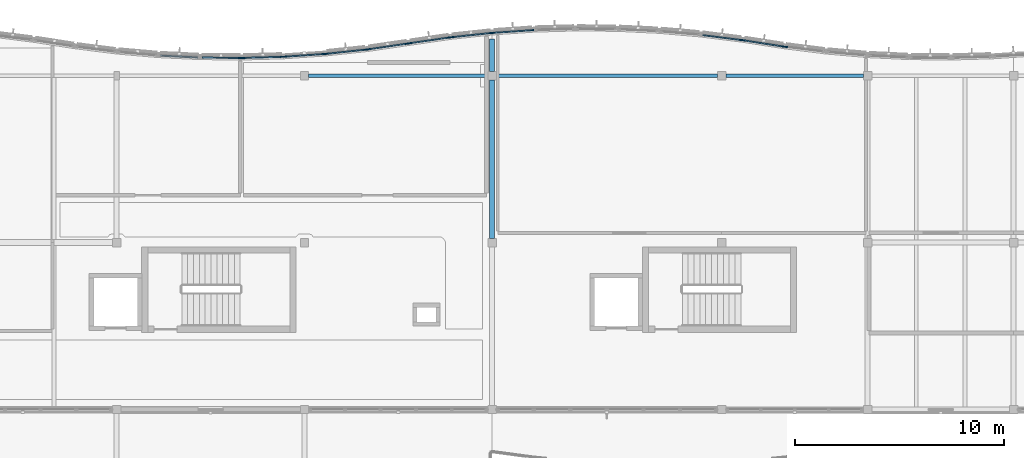
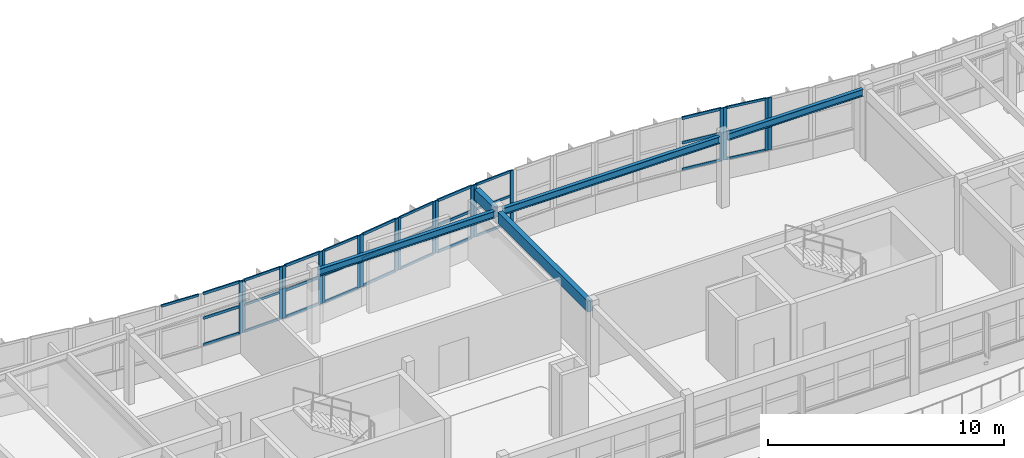
# One storey, part 16 of 52: 50 members, 5 beams, 12 elements without a shape of their own.
"""IFC4 building model written with IfcOpenShell, lengths in metres."""

from ifc_helpers import new_model, si_unit, direction, frame, origin, origin_2d, place, context, subcontext, project, spatial, rectangle, i_section, extrude, material, layer, layer_set, material_profile, profile_set, type_object, element, aggregate, save


model = new_model("IFC4")

# Units and contexts
model_context = context("Model", 3, precision=1e-05, world=origin(), true_north=direction((0.0, 1.0)))
body_context = subcontext(model_context, "Body", "Model", "MODEL_VIEW")
ifc_project = project(units=[si_unit("LENGTHUNIT", "METRE"), si_unit("AREAUNIT", "SQUARE_METRE"), si_unit("VOLUMEUNIT", "CUBIC_METRE"), si_unit("PLANEANGLEUNIT", "RADIAN"), si_unit("MASSUNIT", "GRAM", prefix="KILO")], contexts=[model_context])

# Site, building, storey
site_placement = place(None, origin())
site = spatial("IfcSite", under=ifc_project, at=site_placement, CompositionType="ELEMENT")
building_placement = place(site_placement, origin())
building = spatial("IfcBuilding", under=site, at=building_placement, Name="Tonlespit Floodbar School", CompositionType="ELEMENT")
storey_placement = place(building_placement, frame((0.0, 0.0, 12.300048828125)))
storey = spatial("IfcBuildingStorey", under=building, at=storey_placement, Name="L03", CompositionType="ELEMENT", Elevation=12.300048828125)

# Beams
ifc_material_1 = material(Name="Glulam GL28h", Category="wood")
ifc_material_profile_1 = material_profile(ifc_material_1, rectangle(XDim=0.239990234375, YDim=0.56005859375, at=origin_2d()), Name="GL 240x560")
ifc_profile_set_1 = profile_set([ifc_material_profile_1], Name="Glulam GL28h")
beam_type_1 = type_object("IfcBeamType", Name="Beam_GL_240x560", PredefinedType="BEAM", material=ifc_profile_set_1)
beam_1_placement = place(storey_placement, frame((116.0, 112.199951171875, 3.364990234375), z_axis=(0.0, 1.0, 0.0), x_axis=(-1.0, 0.0, 0.0)))
element("IfcBeam", 1, at=beam_1_placement, inside=storey, type_object=beam_type_1, Name="L03 girder 1233", PredefinedType="BEAM", context=body_context, shape_type="SweptSolid", body=[
    extrude(rectangle(XDim=0.239990234375, YDim=0.56005859375, at=origin_2d()), origin(), (0.0, 0.0, 1.0), 7.60009765625),
])
beam_2_placement = place(storey_placement, frame((116.0, 120.199951171875, 3.364990234375), z_axis=(0.0, 1.0, 0.0), x_axis=(-1.0, 0.0, 0.0)))
element("IfcBeam", 2, at=beam_2_placement, inside=storey, type_object=beam_type_1, Name="L03 north street wave cantilever bracket", PredefinedType="BEAM", context=body_context, shape_type="SweptSolid", body=[
    extrude(rectangle(XDim=0.239990234375, YDim=0.56005859375, at=origin_2d()), origin(), (0.0, 0.0, 1.0), 1.554443359375),
])

# Curtain wall, members
ifc_material_2 = material(Name="Anodised Aluminium", Category="aluminium")
ifc_layer_1 = layer(ifc_material_2, 0.159912109375)
ifc_layer_set_1 = layer_set([ifc_layer_1], Name="Anodised Aluminium")
curtain_wall_type_1 = type_object("IfcCurtainWallType", Name="CurtainWall_1900x2700", PredefinedType="NOTDEFINED", material=ifc_layer_set_1)
curtain_wall_1_placement = place(storey_placement, origin())
curtain_wall_1 = element("IfcCurtainWall", 3, at=curtain_wall_1_placement, inside=storey, type_object=curtain_wall_type_1, Name="L03 unitised curtain wall 0154", PredefinedType="NOTDEFINED")
ifc_material_profile_2 = material_profile(ifc_material_2, rectangle(XDim=0.06494140625, YDim=0.14990234375, at=origin_2d()), Name="ALU M65x150")
ifc_profile_set_2 = profile_set([ifc_material_profile_2], Name="Anodised Aluminium")
member_type_1 = type_object("IfcMemberType", Name="CW_Mullion_65x150", PredefinedType="MULLION", material=ifc_profile_set_2)
member_1_placement = place(storey_placement, frame((104.072509765625, 120.855224609375, 0.949951171875), z_axis=(0.0, 0.0, 1.0), x_axis=(-0.028790144226, 0.999585477883, 0.0)))
member_1 = element("IfcMember", 4, at=member_1_placement, type_object=member_type_1, Name="CW-05 mullion 1", PredefinedType="MULLION", context=body_context, shape_type="SweptSolid", body=[
    extrude(rectangle(XDim=0.06494140625, YDim=0.14990234375, at=origin_2d()), origin(), (0.0, 0.0, 1.0), 2.699951171875),
])
member_2_placement = place(storey_placement, frame((105.927490234375, 120.908447265625, 0.949951171875), z_axis=(0.0, 0.0, 1.0), x_axis=(-0.028790144226, 0.999585477883, 0.0)))
member_2 = element("IfcMember", 5, at=member_2_placement, type_object=member_type_1, Name="CW-05 mullion 2", PredefinedType="MULLION", context=body_context, shape_type="SweptSolid", body=[
    extrude(rectangle(XDim=0.06494140625, YDim=0.14990234375, at=origin_2d()), origin(), (0.0, 0.0, 1.0), 2.699951171875),
])

ifc_layer_2 = layer(ifc_material_2, 0.159912109375)
ifc_layer_set_2 = layer_set([ifc_layer_2], Name="Anodised Aluminium")
curtain_wall_type_2 = type_object("IfcCurtainWallType", Name="CurtainWall_1950x2700", PredefinedType="NOTDEFINED", material=ifc_layer_set_2)
curtain_wall_2_placement = place(storey_placement, origin())
curtain_wall_2 = element("IfcCurtainWall", 6, at=curtain_wall_2_placement, inside=storey, type_object=curtain_wall_type_2, Name="L03 unitised curtain wall 0156", PredefinedType="NOTDEFINED")
member_3_placement = place(storey_placement, frame((108.072021484375, 121.05322265625, 0.949951171875), z_axis=(0.0, 0.0, 1.0), x_axis=(-0.105787143968, 0.994388797288, 0.0)))
member_3 = element("IfcMember", 7, at=member_3_placement, type_object=member_type_1, Name="CW-04 mullion 1", PredefinedType="MULLION", context=body_context, shape_type="SweptSolid", body=[
    extrude(rectangle(XDim=0.06494140625, YDim=0.14990234375, at=origin_2d()), origin(), (0.0, 0.0, 1.0), 2.699951171875),
])
member_4_placement = place(storey_placement, frame((109.927978515625, 121.250732421875, 0.949951171875), z_axis=(0.0, 0.0, 1.0), x_axis=(-0.105787143968, 0.994388797288, 0.0)))
member_4 = element("IfcMember", 8, at=member_4_placement, type_object=member_type_1, Name="CW-04 mullion 2", PredefinedType="MULLION", context=body_context, shape_type="SweptSolid", body=[
    extrude(rectangle(XDim=0.06494140625, YDim=0.14990234375, at=origin_2d()), origin(), (0.0, 0.0, 1.0), 2.699951171875),
])

curtain_wall_3_placement = place(storey_placement, origin())
curtain_wall_3 = element("IfcCurtainWall", 9, at=curtain_wall_3_placement, inside=storey, type_object=curtain_wall_type_2, Name="L03 unitised curtain wall 0158", PredefinedType="NOTDEFINED")
member_5_placement = place(storey_placement, frame((112.07177734375, 121.560546875, 0.949951171875), z_axis=(0.0, 0.0, 1.0), x_axis=(-0.144248041079, 0.989541561858, 0.0)))
member_5 = element("IfcMember", 10, at=member_5_placement, type_object=member_type_1, Name="CW-04 mullion 1", PredefinedType="MULLION", context=body_context, shape_type="SweptSolid", body=[
    extrude(rectangle(XDim=0.06494140625, YDim=0.14990234375, at=origin_2d()), origin(), (0.0, 0.0, 1.0), 2.699951171875),
])
member_6_placement = place(storey_placement, frame((113.92822265625, 121.8310546875, 0.949951171875), z_axis=(0.0, 0.0, 1.0), x_axis=(-0.144248041079, 0.989541561858, 0.0)))
member_6 = element("IfcMember", 11, at=member_6_placement, type_object=member_type_1, Name="CW-04 mullion 2", PredefinedType="MULLION", context=body_context, shape_type="SweptSolid", body=[
    extrude(rectangle(XDim=0.06494140625, YDim=0.14990234375, at=origin_2d()), origin(), (0.0, 0.0, 1.0), 2.699951171875),
])

curtain_wall_4_placement = place(storey_placement, origin())
curtain_wall_4 = element("IfcCurtainWall", 12, at=curtain_wall_4_placement, inside=storey, type_object=curtain_wall_type_1, Name="L03 unitised curtain wall 0446", PredefinedType="NOTDEFINED")
member_7_placement = place(storey_placement, frame((116.072265625, 122.05908203125, 0.949951171875), z_axis=(0.0, 0.0, 1.0), x_axis=(-0.067339767311, 0.99773010165, 0.0)))
member_7 = element("IfcMember", 13, at=member_7_placement, type_object=member_type_1, Name="CW-05 mullion 1", PredefinedType="MULLION", context=body_context, shape_type="SweptSolid", body=[
    extrude(rectangle(XDim=0.06494140625, YDim=0.14990234375, at=origin_2d()), origin(), (0.0, 0.0, 1.0), 2.699951171875),
])
member_8_placement = place(storey_placement, frame((117.927734375, 122.184326171875, 0.949951171875), z_axis=(0.0, 0.0, 1.0), x_axis=(-0.067339767311, 0.99773010165, 0.0)))
member_8 = element("IfcMember", 14, at=member_8_placement, type_object=member_type_1, Name="CW-05 mullion 2", PredefinedType="MULLION", context=body_context, shape_type="SweptSolid", body=[
    extrude(rectangle(XDim=0.06494140625, YDim=0.14990234375, at=origin_2d()), origin(), (0.0, 0.0, 1.0), 2.699951171875),
])

curtain_wall_5_placement = place(storey_placement, origin())
curtain_wall_5 = element("IfcCurtainWall", 15, at=curtain_wall_5_placement, inside=storey, type_object=curtain_wall_type_2, Name="L03 unitised curtain wall 0452", PredefinedType="NOTDEFINED")
member_9_placement = place(storey_placement, frame((128.071533203125, 121.694580078125, 0.949951171875), z_axis=(0.0, 0.0, 1.0), x_axis=(0.153796288585, 0.988102576465, 0.0)))
member_9 = element("IfcMember", 16, at=member_9_placement, type_object=member_type_1, Name="CW-04 mullion 1", PredefinedType="MULLION", context=body_context, shape_type="SweptSolid", body=[
    extrude(rectangle(XDim=0.06494140625, YDim=0.14990234375, at=origin_2d()), origin(), (0.0, 0.0, 1.0), 2.699951171875),
])
member_10_placement = place(storey_placement, frame((129.928466796875, 121.405517578125, 0.949951171875), z_axis=(0.0, 0.0, 1.0), x_axis=(0.153796288585, 0.988102576465, 0.0)))
member_10 = element("IfcMember", 17, at=member_10_placement, type_object=member_type_1, Name="CW-04 mullion 2", PredefinedType="MULLION", context=body_context, shape_type="SweptSolid", body=[
    extrude(rectangle(XDim=0.06494140625, YDim=0.14990234375, at=origin_2d()), origin(), (0.0, 0.0, 1.0), 2.699951171875),
])

# Curtain wall, member
curtain_wall_6_placement = place(storey_placement, origin())
curtain_wall_6 = element("IfcCurtainWall", 18, at=curtain_wall_6_placement, inside=storey, type_object=curtain_wall_type_1, Name="L03 unitised curtain wall 0153", PredefinedType="NOTDEFINED")
ifc_material_profile_3 = material_profile(ifc_material_2, rectangle(XDim=0.06494140625, YDim=0.179931640625, at=origin_2d()), Name="ALU M65x180")
ifc_profile_set_3 = profile_set([ifc_material_profile_3], Name="Anodised Aluminium")
member_type_2 = type_object("IfcMemberType", Name="CW_Mullion_65x180", PredefinedType="MULLION", material=ifc_profile_set_3)
member_11_placement = place(storey_placement, frame((103.927490234375, 120.853759765625, 0.949951171875), z_axis=(0.0, 0.0, 1.0), x_axis=(0.009582893292, 0.999954083024, 0.0)))
member_11 = element("IfcMember", 19, at=member_11_placement, type_object=member_type_2, Name="CW-05 mullion 2", PredefinedType="MULLION", context=body_context, shape_type="SweptSolid", body=[
    extrude(rectangle(XDim=0.06494140625, YDim=0.179931640625, at=origin_2d()), origin(), (0.0, 0.0, 1.0), 2.699951171875),
])

# Curtain wall, members
curtain_wall_7_placement = place(storey_placement, origin())
curtain_wall_7 = element("IfcCurtainWall", 20, at=curtain_wall_7_placement, inside=storey, type_object=curtain_wall_type_1, Name="L03 unitised curtain wall 0155", PredefinedType="NOTDEFINED")
member_12_placement = place(storey_placement, frame((106.072265625, 120.91552734375, 0.949951171875), z_axis=(0.0, 0.0, 1.0), x_axis=(-0.067339767311, 0.99773010165, 0.0)))
member_12 = element("IfcMember", 21, at=member_12_placement, type_object=member_type_2, Name="CW-05 mullion 1", PredefinedType="MULLION", context=body_context, shape_type="SweptSolid", body=[
    extrude(rectangle(XDim=0.06494140625, YDim=0.179931640625, at=origin_2d()), origin(), (0.0, 0.0, 1.0), 2.699951171875),
])
member_13_placement = place(storey_placement, frame((107.927734375, 121.040771484375, 0.949951171875), z_axis=(0.0, 0.0, 1.0), x_axis=(-0.067339767311, 0.99773010165, 0.0)))
member_13 = element("IfcMember", 22, at=member_13_placement, type_object=member_type_2, Name="CW-05 mullion 2", PredefinedType="MULLION", context=body_context, shape_type="SweptSolid", body=[
    extrude(rectangle(XDim=0.06494140625, YDim=0.179931640625, at=origin_2d()), origin(), (0.0, 0.0, 1.0), 2.699951171875),
])

curtain_wall_8_placement = place(storey_placement, origin())
curtain_wall_8 = element("IfcCurtainWall", 23, at=curtain_wall_8_placement, inside=storey, type_object=curtain_wall_type_2, Name="L03 unitised curtain wall 0157", PredefinedType="NOTDEFINED")
member_14_placement = place(storey_placement, frame((110.07177734375, 121.268798828125, 0.949951171875), z_axis=(0.0, 0.0, 1.0), x_axis=(-0.144248041079, 0.989541561858, 0.0)))
member_14 = element("IfcMember", 24, at=member_14_placement, type_object=member_type_2, Name="CW-04 mullion 1", PredefinedType="MULLION", context=body_context, shape_type="SweptSolid", body=[
    extrude(rectangle(XDim=0.06494140625, YDim=0.179931640625, at=origin_2d()), origin(), (0.0, 0.0, 1.0), 2.699951171875),
])
member_15_placement = place(storey_placement, frame((111.92822265625, 121.53955078125, 0.949951171875), z_axis=(0.0, 0.0, 1.0), x_axis=(-0.144248041079, 0.989541561858, 0.0)))
member_15 = element("IfcMember", 25, at=member_15_placement, type_object=member_type_2, Name="CW-04 mullion 2", PredefinedType="MULLION", context=body_context, shape_type="SweptSolid", body=[
    extrude(rectangle(XDim=0.06494140625, YDim=0.179931640625, at=origin_2d()), origin(), (0.0, 0.0, 1.0), 2.699951171875),
])

curtain_wall_9_placement = place(storey_placement, origin())
curtain_wall_9 = element("IfcCurtainWall", 26, at=curtain_wall_9_placement, inside=storey, type_object=curtain_wall_type_2, Name="L03 unitised curtain wall 0159", PredefinedType="NOTDEFINED")
member_16_placement = place(storey_placement, frame((114.072021484375, 121.84912109375, 0.949951171875), z_axis=(0.0, 0.0, 1.0), x_axis=(-0.105787143968, 0.994388797288, 0.0)))
member_16 = element("IfcMember", 27, at=member_16_placement, type_object=member_type_2, Name="CW-04 mullion 1", PredefinedType="MULLION", context=body_context, shape_type="SweptSolid", body=[
    extrude(rectangle(XDim=0.06494140625, YDim=0.179931640625, at=origin_2d()), origin(), (0.0, 0.0, 1.0), 2.699951171875),
])
member_17_placement = place(storey_placement, frame((115.927978515625, 122.046630859375, 0.949951171875), z_axis=(0.0, 0.0, 1.0), x_axis=(-0.105787143968, 0.994388797288, 0.0)))
member_17 = element("IfcMember", 28, at=member_17_placement, type_object=member_type_2, Name="CW-04 mullion 2", PredefinedType="MULLION", context=body_context, shape_type="SweptSolid", body=[
    extrude(rectangle(XDim=0.06494140625, YDim=0.179931640625, at=origin_2d()), origin(), (0.0, 0.0, 1.0), 2.699951171875),
])

# Curtain wall, member
curtain_wall_10_placement = place(storey_placement, origin())
curtain_wall_10 = element("IfcCurtainWall", 29, at=curtain_wall_10_placement, inside=storey, type_object=curtain_wall_type_2, Name="L03 unitised curtain wall 0451", PredefinedType="NOTDEFINED")
member_18_placement = place(storey_placement, frame((127.927978515625, 121.71484375, 0.949951171875), z_axis=(0.0, 0.0, 1.0), x_axis=(0.125013803299, 0.992155002499, 0.0)))
member_18 = element("IfcMember", 30, at=member_18_placement, type_object=member_type_2, Name="CW-04 mullion 2", PredefinedType="MULLION", context=body_context, shape_type="SweptSolid", body=[
    extrude(rectangle(XDim=0.06494140625, YDim=0.179931640625, at=origin_2d()), origin(), (0.0, 0.0, 1.0), 2.699951171875),
])

curtain_wall_11_placement = place(storey_placement, origin())
curtain_wall_11 = element("IfcCurtainWall", 31, at=curtain_wall_11_placement, inside=storey, type_object=curtain_wall_type_2, Name="L03 unitised curtain wall 0453", PredefinedType="NOTDEFINED")
member_19_placement = place(storey_placement, frame((130.072021484375, 121.38525390625, 0.949951171875), z_axis=(0.0, 0.0, 1.0), x_axis=(0.125013803299, 0.992155002499, 0.0)))
member_19 = element("IfcMember", 32, at=member_19_placement, type_object=member_type_2, Name="CW-04 mullion 1", PredefinedType="MULLION", context=body_context, shape_type="SweptSolid", body=[
    extrude(rectangle(XDim=0.06494140625, YDim=0.179931640625, at=origin_2d()), origin(), (0.0, 0.0, 1.0), 2.699951171875),
])
aggregate(curtain_wall_11, [member_19])

curtain_wall_12_placement = place(storey_placement, origin())
curtain_wall_12 = element("IfcCurtainWall", 33, at=curtain_wall_12_placement, inside=storey, type_object=curtain_wall_type_1, Name="L03 unitised curtain wall 0152", PredefinedType="NOTDEFINED")
ifc_material_profile_4 = material_profile(ifc_material_2, rectangle(XDim=0.06494140625, YDim=0.1201171875, at=origin_2d()), Name="ALU T65x120")
ifc_profile_set_4 = profile_set([ifc_material_profile_4], Name="Anodised Aluminium")
member_type_3 = type_object("IfcMemberType", Name="CW_Transom_65x120", PredefinedType="USERDEFINED", material=ifc_profile_set_4)
member_20_placement = place(storey_placement, frame((100.10498046875, 120.96337890625, 3.617431640625), z_axis=(0.998843034795, -0.048089415069, 0.0), x_axis=(0.048089415069, 0.998843034795, 0.0)))
member_20 = element("IfcMember", 34, at=member_20_placement, type_object=member_type_3, Name="CW-05 transom 1.3", ObjectType="TRANSOM", PredefinedType="USERDEFINED", context=body_context, shape_type="SweptSolid", body=[
    extrude(rectangle(XDim=0.06494140625, YDim=0.1201171875, at=origin_2d()), origin(), (0.0, 0.0, 1.0), 1.7919921875),
])
aggregate(curtain_wall_12, [member_20])

# Member
member_21_placement = place(storey_placement, frame((104.10498046875, 120.85595703125, 0.982421875), z_axis=(0.999582242166, 0.028902268868, 0.0), x_axis=(-0.028902268868, 0.999582242166, 0.0)))
member_21 = element("IfcMember", 35, at=member_21_placement, type_object=member_type_3, Name="CW-05 transom 1.1", ObjectType="TRANSOM", PredefinedType="USERDEFINED", context=body_context, shape_type="SweptSolid", body=[
    extrude(rectangle(XDim=0.06494140625, YDim=0.1201171875, at=origin_2d()), origin(), (0.0, 0.0, 1.0), 1.790771484375),
])

member_22_placement = place(storey_placement, frame((104.10498046875, 120.85595703125, 2.35400390625), z_axis=(0.999582242166, 0.028902268868, 0.0), x_axis=(-0.028902268868, 0.999582242166, 0.0)))
member_22 = element("IfcMember", 36, at=member_22_placement, type_object=member_type_3, Name="CW-05 transom 1.2", ObjectType="TRANSOM", PredefinedType="USERDEFINED", context=body_context, shape_type="SweptSolid", body=[
    extrude(rectangle(XDim=0.06494140625, YDim=0.1201171875, at=origin_2d()), origin(), (0.0, 0.0, 1.0), 1.790771484375),
])

member_23_placement = place(storey_placement, frame((104.10498046875, 120.85595703125, 3.617431640625), z_axis=(0.999582242166, 0.028902268868, 0.0), x_axis=(-0.028902268868, 0.999582242166, 0.0)))
member_23 = element("IfcMember", 37, at=member_23_placement, type_object=member_type_3, Name="CW-05 transom 1.3", ObjectType="TRANSOM", PredefinedType="USERDEFINED", context=body_context, shape_type="SweptSolid", body=[
    extrude(rectangle(XDim=0.06494140625, YDim=0.1201171875, at=origin_2d()), origin(), (0.0, 0.0, 1.0), 1.790771484375),
])

aggregate(curtain_wall_1, [member_1, member_2, member_21, member_22, member_23])

member_24_placement = place(storey_placement, frame((108.1044921875, 121.056884765625, 0.982421875), z_axis=(0.994394979136, 0.105729019047, 0.0), x_axis=(-0.105729019047, 0.994394979136, 0.0)))
member_24 = element("IfcMember", 38, at=member_24_placement, type_object=member_type_3, Name="CW-04 transom 1.1", ObjectType="TRANSOM", PredefinedType="USERDEFINED", context=body_context, shape_type="SweptSolid", body=[
    extrude(rectangle(XDim=0.06494140625, YDim=0.1201171875, at=origin_2d()), origin(), (0.0, 0.0, 1.0), 1.801025390625),
])

member_25_placement = place(storey_placement, frame((108.1044921875, 121.056884765625, 2.35400390625), z_axis=(0.994394979136, 0.105729019047, 0.0), x_axis=(-0.105729019047, 0.994394979136, 0.0)))
member_25 = element("IfcMember", 39, at=member_25_placement, type_object=member_type_3, Name="CW-04 transom 1.2", ObjectType="TRANSOM", PredefinedType="USERDEFINED", context=body_context, shape_type="SweptSolid", body=[
    extrude(rectangle(XDim=0.06494140625, YDim=0.1201171875, at=origin_2d()), origin(), (0.0, 0.0, 1.0), 1.801025390625),
])

member_26_placement = place(storey_placement, frame((108.1044921875, 121.056884765625, 3.617431640625), z_axis=(0.994394979136, 0.105729019047, 0.0), x_axis=(-0.105729019047, 0.994394979136, 0.0)))
member_26 = element("IfcMember", 40, at=member_26_placement, type_object=member_type_3, Name="CW-04 transom 1.3", ObjectType="TRANSOM", PredefinedType="USERDEFINED", context=body_context, shape_type="SweptSolid", body=[
    extrude(rectangle(XDim=0.06494140625, YDim=0.1201171875, at=origin_2d()), origin(), (0.0, 0.0, 1.0), 1.801025390625),
])

aggregate(curtain_wall_2, [member_3, member_4, member_24, member_25, member_26])

member_27_placement = place(storey_placement, frame((112.10400390625, 121.565185546875, 0.982421875), z_axis=(0.989541000818, 0.144251889765, 0.0), x_axis=(-0.144251889765, 0.989541000818, 0.0)))
member_27 = element("IfcMember", 41, at=member_27_placement, type_object=member_type_3, Name="CW-04 transom 1.1", ObjectType="TRANSOM", PredefinedType="USERDEFINED", context=body_context, shape_type="SweptSolid", body=[
    extrude(rectangle(XDim=0.06494140625, YDim=0.1201171875, at=origin_2d()), origin(), (0.0, 0.0, 1.0), 1.81103515625),
])

member_28_placement = place(storey_placement, frame((112.10400390625, 121.565185546875, 2.35400390625), z_axis=(0.989541000818, 0.144251889765, 0.0), x_axis=(-0.144251889765, 0.989541000818, 0.0)))
member_28 = element("IfcMember", 42, at=member_28_placement, type_object=member_type_3, Name="CW-04 transom 1.2", ObjectType="TRANSOM", PredefinedType="USERDEFINED", context=body_context, shape_type="SweptSolid", body=[
    extrude(rectangle(XDim=0.06494140625, YDim=0.1201171875, at=origin_2d()), origin(), (0.0, 0.0, 1.0), 1.81103515625),
])

member_29_placement = place(storey_placement, frame((112.10400390625, 121.565185546875, 3.617431640625), z_axis=(0.989541000818, 0.144251889765, 0.0), x_axis=(-0.144251889765, 0.989541000818, 0.0)))
member_29 = element("IfcMember", 43, at=member_29_placement, type_object=member_type_3, Name="CW-04 transom 1.3", ObjectType="TRANSOM", PredefinedType="USERDEFINED", context=body_context, shape_type="SweptSolid", body=[
    extrude(rectangle(XDim=0.06494140625, YDim=0.1201171875, at=origin_2d()), origin(), (0.0, 0.0, 1.0), 1.81103515625),
])

aggregate(curtain_wall_3, [member_5, member_6, member_27, member_28, member_29])

member_30_placement = place(storey_placement, frame((116.104736328125, 122.061279296875, 0.982421875), z_axis=(0.997730041674, 0.067340655935, 0.0), x_axis=(-0.067340655935, 0.997730041674, 0.0)))
member_30 = element("IfcMember", 44, at=member_30_placement, type_object=member_type_3, Name="CW-05 transom 1.1", ObjectType="TRANSOM", PredefinedType="USERDEFINED", context=body_context, shape_type="SweptSolid", body=[
    extrude(rectangle(XDim=0.06494140625, YDim=0.1201171875, at=origin_2d()), origin(), (0.0, 0.0, 1.0), 1.794677734375),
])

member_31_placement = place(storey_placement, frame((116.104736328125, 122.061279296875, 2.35400390625), z_axis=(0.997730041674, 0.067340655935, 0.0), x_axis=(-0.067340655935, 0.997730041674, 0.0)))
member_31 = element("IfcMember", 45, at=member_31_placement, type_object=member_type_3, Name="CW-05 transom 1.2", ObjectType="TRANSOM", PredefinedType="USERDEFINED", context=body_context, shape_type="SweptSolid", body=[
    extrude(rectangle(XDim=0.06494140625, YDim=0.1201171875, at=origin_2d()), origin(), (0.0, 0.0, 1.0), 1.794677734375),
])

member_32_placement = place(storey_placement, frame((116.104736328125, 122.061279296875, 3.617431640625), z_axis=(0.997730041674, 0.067340655935, 0.0), x_axis=(-0.067340655935, 0.997730041674, 0.0)))
member_32 = element("IfcMember", 46, at=member_32_placement, type_object=member_type_3, Name="CW-05 transom 1.3", ObjectType="TRANSOM", PredefinedType="USERDEFINED", context=body_context, shape_type="SweptSolid", body=[
    extrude(rectangle(XDim=0.06494140625, YDim=0.1201171875, at=origin_2d()), origin(), (0.0, 0.0, 1.0), 1.794677734375),
])

aggregate(curtain_wall_4, [member_7, member_8, member_30, member_31, member_32])

member_33_placement = place(storey_placement, frame((128.103759765625, 121.689453125, 0.982421875), z_axis=(0.988097838313, -0.15382672694, 0.0), x_axis=(0.15382672694, 0.988097838313, 0.0)))
member_33 = element("IfcMember", 47, at=member_33_placement, type_object=member_type_3, Name="CW-04 transom 1.1", ObjectType="TRANSOM", PredefinedType="USERDEFINED", context=body_context, shape_type="SweptSolid", body=[
    extrude(rectangle(XDim=0.06494140625, YDim=0.1201171875, at=origin_2d()), origin(), (0.0, 0.0, 1.0), 1.81396484375),
])

member_34_placement = place(storey_placement, frame((128.103759765625, 121.689453125, 2.35400390625), z_axis=(0.988097838313, -0.15382672694, 0.0), x_axis=(0.15382672694, 0.988097838313, 0.0)))
member_34 = element("IfcMember", 48, at=member_34_placement, type_object=member_type_3, Name="CW-04 transom 1.2", ObjectType="TRANSOM", PredefinedType="USERDEFINED", context=body_context, shape_type="SweptSolid", body=[
    extrude(rectangle(XDim=0.06494140625, YDim=0.1201171875, at=origin_2d()), origin(), (0.0, 0.0, 1.0), 1.81396484375),
])

member_35_placement = place(storey_placement, frame((128.103759765625, 121.689453125, 3.617431640625), z_axis=(0.988097838313, -0.15382672694, 0.0), x_axis=(0.15382672694, 0.988097838313, 0.0)))
member_35 = element("IfcMember", 49, at=member_35_placement, type_object=member_type_3, Name="CW-04 transom 1.3", ObjectType="TRANSOM", PredefinedType="USERDEFINED", context=body_context, shape_type="SweptSolid", body=[
    extrude(rectangle(XDim=0.06494140625, YDim=0.1201171875, at=origin_2d()), origin(), (0.0, 0.0, 1.0), 1.81396484375),
])

aggregate(curtain_wall_5, [member_9, member_10, member_33, member_34, member_35])

ifc_material_profile_5 = material_profile(ifc_material_2, rectangle(XDim=0.06494140625, YDim=0.139892578125, at=origin_2d()), Name="ALU T65x140")
ifc_profile_set_5 = profile_set([ifc_material_profile_5], Name="Anodised Aluminium")
member_type_4 = type_object("IfcMemberType", Name="CW_Transom_65x140", PredefinedType="USERDEFINED", material=ifc_profile_set_5)
member_36_placement = place(storey_placement, frame((102.10498046875, 120.87109375, 0.982421875), z_axis=(0.999954428693, -0.00954675532, 0.0), x_axis=(0.00954675532, 0.999954428693, 0.0)))
member_36 = element("IfcMember", 50, at=member_36_placement, type_object=member_type_4, Name="CW-05 transom 1.1", ObjectType="TRANSOM", PredefinedType="USERDEFINED", context=body_context, shape_type="SweptSolid", body=[
    extrude(rectangle(XDim=0.06494140625, YDim=0.139892578125, at=origin_2d()), origin(), (0.0, 0.0, 1.0), 1.7900390625),
])

member_37_placement = place(storey_placement, frame((102.10498046875, 120.87109375, 2.35400390625), z_axis=(0.999954428693, -0.00954675532, 0.0), x_axis=(0.00954675532, 0.999954428693, 0.0)))
member_37 = element("IfcMember", 51, at=member_37_placement, type_object=member_type_4, Name="CW-05 transom 1.2", ObjectType="TRANSOM", PredefinedType="USERDEFINED", context=body_context, shape_type="SweptSolid", body=[
    extrude(rectangle(XDim=0.06494140625, YDim=0.139892578125, at=origin_2d()), origin(), (0.0, 0.0, 1.0), 1.7900390625),
])

member_38_placement = place(storey_placement, frame((102.10498046875, 120.87109375, 3.617431640625), z_axis=(0.999954428693, -0.00954675532, 0.0), x_axis=(0.00954675532, 0.999954428693, 0.0)))
member_38 = element("IfcMember", 52, at=member_38_placement, type_object=member_type_4, Name="CW-05 transom 1.3", ObjectType="TRANSOM", PredefinedType="USERDEFINED", context=body_context, shape_type="SweptSolid", body=[
    extrude(rectangle(XDim=0.06494140625, YDim=0.139892578125, at=origin_2d()), origin(), (0.0, 0.0, 1.0), 1.7900390625),
])

aggregate(curtain_wall_6, [member_11, member_36, member_37, member_38])

member_39_placement = place(storey_placement, frame((106.104736328125, 120.917724609375, 0.982421875), z_axis=(0.997730041674, 0.067340655935, 0.0), x_axis=(-0.067340655935, 0.997730041674, 0.0)))
member_39 = element("IfcMember", 53, at=member_39_placement, type_object=member_type_4, Name="CW-05 transom 1.1", ObjectType="TRANSOM", PredefinedType="USERDEFINED", context=body_context, shape_type="SweptSolid", body=[
    extrude(rectangle(XDim=0.06494140625, YDim=0.139892578125, at=origin_2d()), origin(), (0.0, 0.0, 1.0), 1.794677734375),
])

member_40_placement = place(storey_placement, frame((106.104736328125, 120.917724609375, 2.35400390625), z_axis=(0.997730041674, 0.067340655935, 0.0), x_axis=(-0.067340655935, 0.997730041674, 0.0)))
member_40 = element("IfcMember", 54, at=member_40_placement, type_object=member_type_4, Name="CW-05 transom 1.2", ObjectType="TRANSOM", PredefinedType="USERDEFINED", context=body_context, shape_type="SweptSolid", body=[
    extrude(rectangle(XDim=0.06494140625, YDim=0.139892578125, at=origin_2d()), origin(), (0.0, 0.0, 1.0), 1.794677734375),
])

member_41_placement = place(storey_placement, frame((106.104736328125, 120.917724609375, 3.617431640625), z_axis=(0.997730041674, 0.067340655935, 0.0), x_axis=(-0.067340655935, 0.997730041674, 0.0)))
member_41 = element("IfcMember", 55, at=member_41_placement, type_object=member_type_4, Name="CW-05 transom 1.3", ObjectType="TRANSOM", PredefinedType="USERDEFINED", context=body_context, shape_type="SweptSolid", body=[
    extrude(rectangle(XDim=0.06494140625, YDim=0.139892578125, at=origin_2d()), origin(), (0.0, 0.0, 1.0), 1.794677734375),
])

aggregate(curtain_wall_7, [member_12, member_13, member_39, member_40, member_41])

member_42_placement = place(storey_placement, frame((110.10400390625, 121.273681640625, 0.982421875), z_axis=(0.989541000818, 0.144251889765, 0.0), x_axis=(-0.144251889765, 0.989541000818, 0.0)))
member_42 = element("IfcMember", 56, at=member_42_placement, type_object=member_type_4, Name="CW-04 transom 1.1", ObjectType="TRANSOM", PredefinedType="USERDEFINED", context=body_context, shape_type="SweptSolid", body=[
    extrude(rectangle(XDim=0.06494140625, YDim=0.139892578125, at=origin_2d()), origin(), (0.0, 0.0, 1.0), 1.81103515625),
])

member_43_placement = place(storey_placement, frame((110.10400390625, 121.273681640625, 2.35400390625), z_axis=(0.989541000818, 0.144251889765, 0.0), x_axis=(-0.144251889765, 0.989541000818, 0.0)))
member_43 = element("IfcMember", 57, at=member_43_placement, type_object=member_type_4, Name="CW-04 transom 1.2", ObjectType="TRANSOM", PredefinedType="USERDEFINED", context=body_context, shape_type="SweptSolid", body=[
    extrude(rectangle(XDim=0.06494140625, YDim=0.139892578125, at=origin_2d()), origin(), (0.0, 0.0, 1.0), 1.81103515625),
])

member_44_placement = place(storey_placement, frame((110.10400390625, 121.273681640625, 3.617431640625), z_axis=(0.989541000818, 0.144251889765, 0.0), x_axis=(-0.144251889765, 0.989541000818, 0.0)))
member_44 = element("IfcMember", 58, at=member_44_placement, type_object=member_type_4, Name="CW-04 transom 1.3", ObjectType="TRANSOM", PredefinedType="USERDEFINED", context=body_context, shape_type="SweptSolid", body=[
    extrude(rectangle(XDim=0.06494140625, YDim=0.139892578125, at=origin_2d()), origin(), (0.0, 0.0, 1.0), 1.81103515625),
])

aggregate(curtain_wall_8, [member_14, member_15, member_42, member_43, member_44])

member_45_placement = place(storey_placement, frame((114.1044921875, 121.852783203125, 0.982421875), z_axis=(0.994394979136, 0.105729019047, 0.0), x_axis=(-0.105729019047, 0.994394979136, 0.0)))
member_45 = element("IfcMember", 59, at=member_45_placement, type_object=member_type_4, Name="CW-04 transom 1.1", ObjectType="TRANSOM", PredefinedType="USERDEFINED", context=body_context, shape_type="SweptSolid", body=[
    extrude(rectangle(XDim=0.06494140625, YDim=0.139892578125, at=origin_2d()), origin(), (0.0, 0.0, 1.0), 1.801025390625),
])

member_46_placement = place(storey_placement, frame((114.1044921875, 121.852783203125, 2.35400390625), z_axis=(0.994394979136, 0.105729019047, 0.0), x_axis=(-0.105729019047, 0.994394979136, 0.0)))
member_46 = element("IfcMember", 60, at=member_46_placement, type_object=member_type_4, Name="CW-04 transom 1.2", ObjectType="TRANSOM", PredefinedType="USERDEFINED", context=body_context, shape_type="SweptSolid", body=[
    extrude(rectangle(XDim=0.06494140625, YDim=0.139892578125, at=origin_2d()), origin(), (0.0, 0.0, 1.0), 1.801025390625),
])

member_47_placement = place(storey_placement, frame((114.1044921875, 121.852783203125, 3.617431640625), z_axis=(0.994394979136, 0.105729019047, 0.0), x_axis=(-0.105729019047, 0.994394979136, 0.0)))
member_47 = element("IfcMember", 61, at=member_47_placement, type_object=member_type_4, Name="CW-04 transom 1.3", ObjectType="TRANSOM", PredefinedType="USERDEFINED", context=body_context, shape_type="SweptSolid", body=[
    extrude(rectangle(XDim=0.06494140625, YDim=0.139892578125, at=origin_2d()), origin(), (0.0, 0.0, 1.0), 1.801025390625),
])

aggregate(curtain_wall_9, [member_16, member_17, member_45, member_46, member_47])

member_48_placement = place(storey_placement, frame((126.104248046875, 121.944580078125, 0.982421875), z_axis=(0.992148373735, -0.125066400341, 0.0), x_axis=(0.125066400341, 0.992148373735, 0.0)))
member_48 = element("IfcMember", 62, at=member_48_placement, type_object=member_type_4, Name="CW-04 transom 1.1", ObjectType="TRANSOM", PredefinedType="USERDEFINED", context=body_context, shape_type="SweptSolid", body=[
    extrude(rectangle(XDim=0.06494140625, YDim=0.139892578125, at=origin_2d()), origin(), (0.0, 0.0, 1.0), 1.8056640625),
])

member_49_placement = place(storey_placement, frame((126.104248046875, 121.944580078125, 2.35400390625), z_axis=(0.992148373735, -0.125066400341, 0.0), x_axis=(0.125066400341, 0.992148373735, 0.0)))
member_49 = element("IfcMember", 63, at=member_49_placement, type_object=member_type_4, Name="CW-04 transom 1.2", ObjectType="TRANSOM", PredefinedType="USERDEFINED", context=body_context, shape_type="SweptSolid", body=[
    extrude(rectangle(XDim=0.06494140625, YDim=0.139892578125, at=origin_2d()), origin(), (0.0, 0.0, 1.0), 1.8056640625),
])

member_50_placement = place(storey_placement, frame((126.104248046875, 121.944580078125, 3.617431640625), z_axis=(0.992148373735, -0.125066400341, 0.0), x_axis=(0.125066400341, 0.992148373735, 0.0)))
member_50 = element("IfcMember", 64, at=member_50_placement, type_object=member_type_4, Name="CW-04 transom 1.3", ObjectType="TRANSOM", PredefinedType="USERDEFINED", context=body_context, shape_type="SweptSolid", body=[
    extrude(rectangle(XDim=0.06494140625, YDim=0.139892578125, at=origin_2d()), origin(), (0.0, 0.0, 1.0), 1.8056640625),
])

aggregate(curtain_wall_10, [member_18, member_48, member_49, member_50])

# Beams
ifc_material_3 = material(Name="Steel S355", Category="steel")
ifc_material_profile_6 = material_profile(ifc_material_3, i_section(OverallWidth=0.169921875, OverallDepth=0.360107421875, WebThickness=0.008056640625, FlangeThickness=0.0126953125, at=origin_2d()), Name="IPE 360")
ifc_profile_set_6 = profile_set([ifc_material_profile_6], Name="Steel S355")
beam_type_2 = type_object("IfcBeamType", Name="Spandrel_STL_IPE360", PredefinedType="SPANDREL", material=ifc_profile_set_6)
beam_3_placement = place(storey_placement, frame((107.199951171875, 120.0, 3.469970703125), z_axis=(1.0, 0.0, 0.0), x_axis=(0.0, 1.0, 0.0)))
element("IfcBeam", 65, at=beam_3_placement, inside=storey, type_object=beam_type_2, Name="L03 girder 1196", PredefinedType="SPANDREL", context=body_context, shape_type="SweptSolid", body=[
    extrude(i_section(OverallWidth=0.169921875, OverallDepth=0.360107421875, WebThickness=0.008056640625, FlangeThickness=0.0126953125, at=origin_2d()), origin(), (0.0, 0.0, 1.0), 8.60009765625),
])
beam_4_placement = place(storey_placement, frame((116.199951171875, 120.0, 3.46484375), z_axis=(1.0, 0.0, 0.0), x_axis=(0.0, 1.0, 0.0)))
element("IfcBeam", 66, at=beam_4_placement, inside=storey, type_object=beam_type_2, Name="L03 girder 1197", PredefinedType="SPANDREL", context=body_context, shape_type="SweptSolid", body=[
    extrude(i_section(OverallWidth=0.169921875, OverallDepth=0.360107421875, WebThickness=0.008056640625, FlangeThickness=0.0126953125, at=origin_2d()), origin(), (0.0, 0.0, 1.0), 10.60009765625),
])
beam_5_placement = place(storey_placement, frame((127.199951171875, 120.0, 3.46484375), z_axis=(1.0, 0.0, 0.0), x_axis=(0.0, 1.0, 0.0)))
element("IfcBeam", 67, at=beam_5_placement, inside=storey, type_object=beam_type_2, Name="L03 girder 1198", PredefinedType="SPANDREL", context=body_context, shape_type="SweptSolid", body=[
    extrude(i_section(OverallWidth=0.169921875, OverallDepth=0.360107421875, WebThickness=0.008056640625, FlangeThickness=0.0126953125, at=origin_2d()), origin(), (0.0, 0.0, 1.0), 6.60009765625),
])

save(model, "model.ifc")
